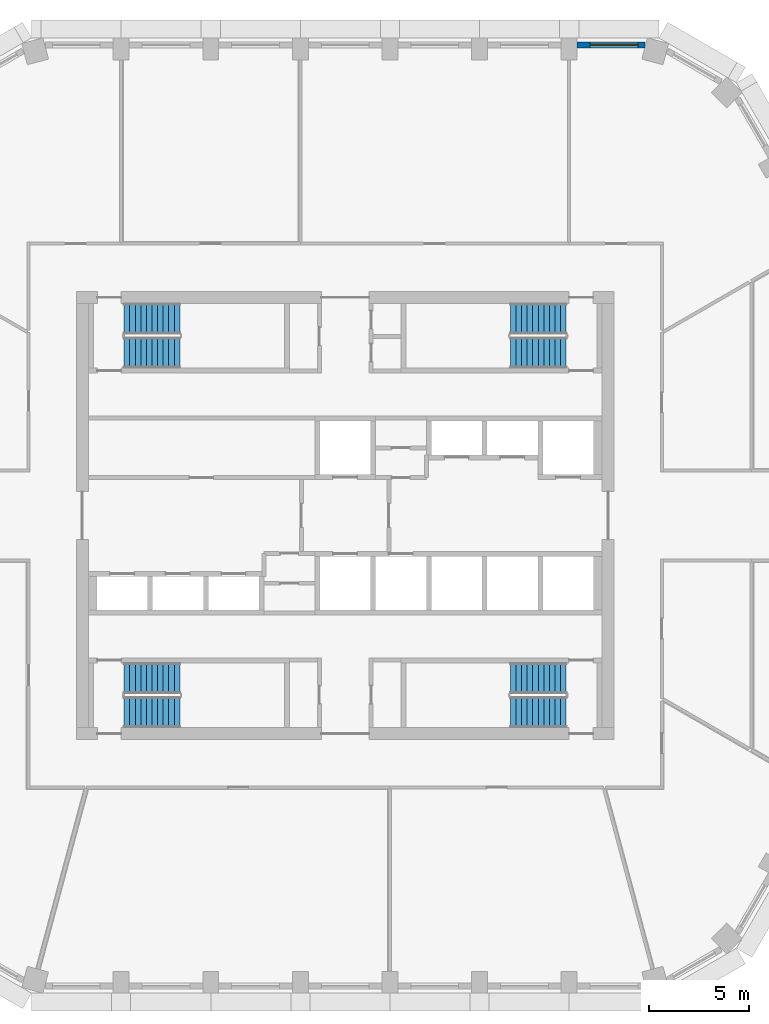
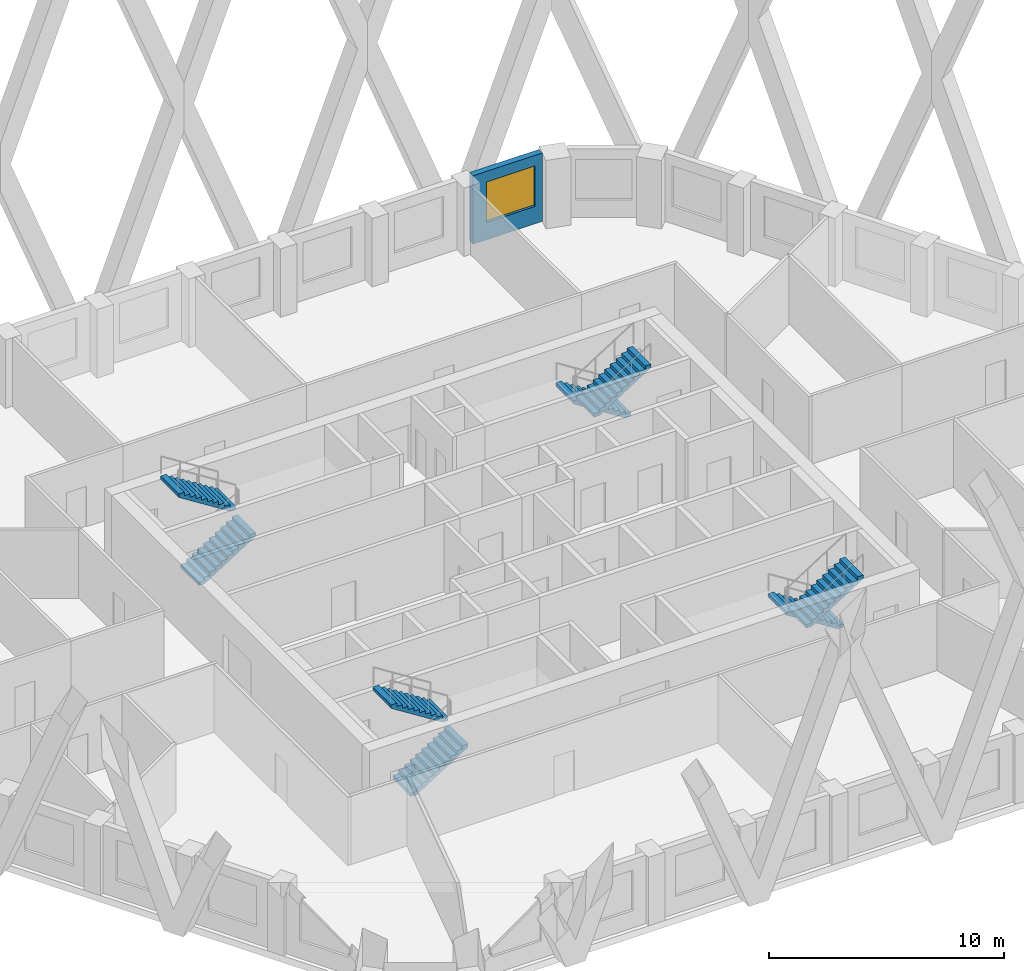
# One storey, part 7 of 15: 8 stair flights, 1 wall, 1 window, 1 opening, 4 elements without a shape of their own.
"""IFC4 building model written with IfcOpenShell, lengths in metres."""

from ifc_helpers import new_model, si_unit, direction, frame, frame_2d, origin, place, context, subcontext, project, spatial, polyline, rectangle, outline, extrude, material, layer, layer_set, type_object, element, fill, aggregate, save


model = new_model("IFC4")

# Units and contexts
model_context = context("Model", 3, precision=1e-05, world=origin(), true_north=direction((0.0, 1.0)))
body_context = subcontext(model_context, "Body", "Model", "MODEL_VIEW")
ifc_project = project(units=[si_unit("LENGTHUNIT", "METRE"), si_unit("AREAUNIT", "SQUARE_METRE"), si_unit("VOLUMEUNIT", "CUBIC_METRE"), si_unit("PLANEANGLEUNIT", "RADIAN"), si_unit("MASSUNIT", "GRAM", prefix="KILO")], contexts=[model_context])

# Site, building, storey
site_placement = place(None, origin())
site = spatial("IfcSite", under=ifc_project, at=site_placement, CompositionType="ELEMENT")
building_placement = place(site_placement, origin())
building = spatial("IfcBuilding", under=site, at=building_placement, Name="Dhurran Vertical Campus", CompositionType="ELEMENT")
storey_placement = place(building_placement, frame((0.0, 0.0, 207.300048828125)))
storey = spatial("IfcBuildingStorey", under=building, at=storey_placement, Name="L51", CompositionType="ELEMENT", Elevation=207.300048828125)

# Wall, opening, window
ifc_material_1 = material(Name="Precast concrete C50/60", Category="concrete")
ifc_layer = layer(ifc_material_1, 0.300048828125)
ifc_layer_set = layer_set([ifc_layer], Name="Precast concrete C50/60")
wall_type = type_object("IfcWallType", Name="Precast spandrel wall 300", PredefinedType="SOLIDWALL", material=ifc_layer_set)
wall_placement = place(storey_placement, frame((15.04638671875, 23.635498046875, 0.0), z_axis=(0.0, 0.0, 1.0), x_axis=(-1.0, 0.0, 0.0)))
wall = element("IfcWall", 1, at=wall_placement, inside=storey, type_object=wall_type, Name="EW1 L51.20", PredefinedType="SOLIDWALL", context=body_context, shape_type="SweptSolid", body=[
    extrude(rectangle(XDim=3.39599609375, YDim=0.300048828125, at=frame_2d((1.697998046875, 0.0))), origin(), (0.0, 0.0, 1.0), 3.550048828125),
])
opening_placement = place(wall_placement, frame((0.34619140625, 0.0, 0.89990234375)))
opening = element("IfcOpeningElement", 2, at=opening_placement, cuts=wall, Name="Opening WT1", PredefinedType="OPENING", context=body_context, shape_type="SweptSolid", body=[
    extrude(rectangle(XDim=2.39990234375, YDim=2.10009765625, at=frame_2d((1.199951171875, 1.050048828125))), frame((0.0, 0.159912109375, 0.0), z_axis=(0.0, -1.0, 0.0), x_axis=(1.0, 0.0, 0.0)), (0.0, 0.0, 1.0), 0.320068359375),
])
ifc_material_2 = material(Name="Aluminium frame with solar-control glass", Category="aluminium")
window_type = type_object("IfcWindowType", Name="Punched window 2400 x 2100", PartitioningType="SINGLE_PANEL", PredefinedType="WINDOW", material=ifc_material_2)
window_placement = place(opening_placement, origin())
window = element("IfcWindow", 3, at=window_placement, inside=storey, type_object=window_type, Name="WT1 L51.20", OverallHeight=2.10009765625, OverallWidth=2.39990234375, PartitioningType="SINGLE_PANEL", PredefinedType="WINDOW", context=body_context, shape_type="SweptSolid", body=[
    extrude(rectangle(XDim=2.39990234375, YDim=2.10009765625, at=frame_2d((1.199951171875, 1.050048828125))), frame((0.0, 0.030029296875, 0.0), z_axis=(0.0, -1.0, 0.0), x_axis=(1.0, 0.0, 0.0)), (0.0, 0.0, 1.0), 0.06005859375),
])
fill(opening, window)

# Stair, stair flights
ifc_material_3 = material(Name="Concrete C40/50", Category="concrete")
stair_type = type_object("IfcStairType", Name="co-ST-CORE", PredefinedType="HALF_TURN_STAIR", material=ifc_material_3)
stair_1_placement = place(storey_placement, origin())
stair_1 = element("IfcStair", 4, at=stair_1_placement, inside=storey, type_object=stair_type, Name="L51 Protected exit stair ST1", PredefinedType="HALF_TURN_STAIR")
ifc_material_4 = material(Name="Concrete C40/50", Category="concrete")
stair_flight_type = type_object("IfcStairFlightType", Name="co-SFL-RC", PredefinedType="STRAIGHT", material=ifc_material_4)
stair_flight_1_placement = place(storey_placement, frame((-11.10009765625, 8.175048828125, 0.0), z_axis=(0.0, 0.0, 1.0), x_axis=(1.0, 0.0, 0.0)))
stair_flight_1 = element("IfcStairFlight", 5, at=stair_flight_1_placement, type_object=stair_flight_type, Name="ST1 flight 1", NumberOfRisers=11, NumberOfTreads=10, PredefinedType="STRAIGHT", RiserHeight=0.177272727, TreadLength=0.28, context=body_context, shape_type="SweptSolid", body=[
    extrude(outline(polyline([(0.0, 0.0), (0.0, 0.17724609375), (0.280029296875, 0.17724609375), (0.280029296875, 0.3544921875), (0.56005859375, 0.3544921875), (0.56005859375, 0.53173828125), (0.840087890625, 0.53173828125), (0.840087890625, 0.708984375), (1.1201171875, 0.708984375), (1.1201171875, 0.886474609375), (1.39990234375, 0.886474609375), (1.39990234375, 1.063720703125), (1.679931640625, 1.063720703125), (1.679931640625, 1.240966796875), (1.9599609375, 1.240966796875), (1.9599609375, 1.418212890625), (2.239990234375, 1.418212890625), (2.239990234375, 1.595458984375), (2.52001953125, 1.595458984375), (2.52001953125, 1.772705078125), (2.800048828125, 1.772705078125), (2.800048828125, 1.949951171875), (2.800048828125, 1.59521484375), (0.2802734375, 0.0), (0.0, 0.0)])), frame((0.0, 0.77490234375, 0.0), z_axis=(0.0, -1.0, 0.0), x_axis=(1.0, 0.0, 0.0)), (0.0, 0.0, 1.0), 1.550048828125),
])
stair_flight_2_placement = place(storey_placement, frame((-8.300048828125, 9.875, 1.949951171875), z_axis=(0.0, 0.0, 1.0), x_axis=(-1.0, 0.0, 0.0)))
stair_flight_2 = element("IfcStairFlight", 6, at=stair_flight_2_placement, type_object=stair_flight_type, Name="ST1 flight 2", NumberOfRisers=11, NumberOfTreads=10, PredefinedType="STRAIGHT", RiserHeight=0.177272727, TreadLength=0.28, context=body_context, shape_type="SweptSolid", body=[
    extrude(outline(polyline([(0.0, 0.0), (0.0, 0.17724609375), (0.280029296875, 0.17724609375), (0.280029296875, 0.3544921875), (0.56005859375, 0.3544921875), (0.56005859375, 0.53173828125), (0.840087890625, 0.53173828125), (0.840087890625, 0.708984375), (1.1201171875, 0.708984375), (1.1201171875, 0.886474609375), (1.39990234375, 0.886474609375), (1.39990234375, 1.063720703125), (1.679931640625, 1.063720703125), (1.679931640625, 1.240966796875), (1.9599609375, 1.240966796875), (1.9599609375, 1.418212890625), (2.239990234375, 1.418212890625), (2.239990234375, 1.595458984375), (2.52001953125, 1.595458984375), (2.52001953125, 1.772705078125), (2.800048828125, 1.772705078125), (2.800048828125, 1.949951171875), (2.800048828125, 1.59521484375), (0.2802734375, 0.0), (0.0, 0.0)])), frame((0.0, 0.77490234375, 0.0), z_axis=(0.0, -1.0, 0.0), x_axis=(1.0, 0.0, 0.0)), (0.0, 0.0, 1.0), 1.550048828125),
])
aggregate(stair_1, [stair_flight_1, stair_flight_2])

stair_2_placement = place(storey_placement, origin())
stair_2 = element("IfcStair", 7, at=stair_2_placement, inside=storey, type_object=stair_type, Name="L51 Protected exit stair ST2", PredefinedType="HALF_TURN_STAIR")
stair_flight_3_placement = place(storey_placement, frame((11.10009765625, 9.875, 0.0), z_axis=(0.0, 0.0, 1.0), x_axis=(-1.0, 0.0, 0.0)))
stair_flight_3 = element("IfcStairFlight", 8, at=stair_flight_3_placement, type_object=stair_flight_type, Name="ST2 flight 1", NumberOfRisers=11, NumberOfTreads=10, PredefinedType="STRAIGHT", RiserHeight=0.177272727, TreadLength=0.28, context=body_context, shape_type="SweptSolid", body=[
    extrude(outline(polyline([(0.0, 0.0), (0.0, 0.17724609375), (0.280029296875, 0.17724609375), (0.280029296875, 0.3544921875), (0.56005859375, 0.3544921875), (0.56005859375, 0.53173828125), (0.840087890625, 0.53173828125), (0.840087890625, 0.708984375), (1.1201171875, 0.708984375), (1.1201171875, 0.886474609375), (1.39990234375, 0.886474609375), (1.39990234375, 1.063720703125), (1.679931640625, 1.063720703125), (1.679931640625, 1.240966796875), (1.9599609375, 1.240966796875), (1.9599609375, 1.418212890625), (2.239990234375, 1.418212890625), (2.239990234375, 1.595458984375), (2.52001953125, 1.595458984375), (2.52001953125, 1.772705078125), (2.800048828125, 1.772705078125), (2.800048828125, 1.949951171875), (2.800048828125, 1.59521484375), (0.2802734375, 0.0), (0.0, 0.0)])), frame((0.0, 0.77490234375, 0.0), z_axis=(0.0, -1.0, 0.0), x_axis=(1.0, 0.0, 0.0)), (0.0, 0.0, 1.0), 1.550048828125),
])
stair_flight_4_placement = place(storey_placement, frame((8.300048828125, 8.175048828125, 1.949951171875), z_axis=(0.0, 0.0, 1.0), x_axis=(1.0, 0.0, 0.0)))
stair_flight_4 = element("IfcStairFlight", 9, at=stair_flight_4_placement, type_object=stair_flight_type, Name="ST2 flight 2", NumberOfRisers=11, NumberOfTreads=10, PredefinedType="STRAIGHT", RiserHeight=0.177272727, TreadLength=0.28, context=body_context, shape_type="SweptSolid", body=[
    extrude(outline(polyline([(0.0, 0.0), (0.0, 0.17724609375), (0.280029296875, 0.17724609375), (0.280029296875, 0.3544921875), (0.56005859375, 0.3544921875), (0.56005859375, 0.53173828125), (0.840087890625, 0.53173828125), (0.840087890625, 0.708984375), (1.1201171875, 0.708984375), (1.1201171875, 0.886474609375), (1.39990234375, 0.886474609375), (1.39990234375, 1.063720703125), (1.679931640625, 1.063720703125), (1.679931640625, 1.240966796875), (1.9599609375, 1.240966796875), (1.9599609375, 1.418212890625), (2.239990234375, 1.418212890625), (2.239990234375, 1.595458984375), (2.52001953125, 1.595458984375), (2.52001953125, 1.772705078125), (2.800048828125, 1.772705078125), (2.800048828125, 1.949951171875), (2.800048828125, 1.59521484375), (0.2802734375, 0.0), (0.0, 0.0)])), frame((0.0, 0.77490234375, 0.0), z_axis=(0.0, -1.0, 0.0), x_axis=(1.0, 0.0, 0.0)), (0.0, 0.0, 1.0), 1.550048828125),
])
aggregate(stair_2, [stair_flight_3, stair_flight_4])

stair_3_placement = place(storey_placement, origin())
stair_3 = element("IfcStair", 10, at=stair_3_placement, inside=storey, type_object=stair_type, Name="L51 Protected exit stair ST3", PredefinedType="HALF_TURN_STAIR")
stair_flight_5_placement = place(storey_placement, frame((-11.10009765625, -9.875, 0.0), z_axis=(0.0, 0.0, 1.0), x_axis=(1.0, 0.0, 0.0)))
stair_flight_5 = element("IfcStairFlight", 11, at=stair_flight_5_placement, type_object=stair_flight_type, Name="ST3 flight 1", NumberOfRisers=11, NumberOfTreads=10, PredefinedType="STRAIGHT", RiserHeight=0.177272727, TreadLength=0.28, context=body_context, shape_type="SweptSolid", body=[
    extrude(outline(polyline([(0.0, 0.0), (0.0, 0.17724609375), (0.280029296875, 0.17724609375), (0.280029296875, 0.3544921875), (0.56005859375, 0.3544921875), (0.56005859375, 0.53173828125), (0.840087890625, 0.53173828125), (0.840087890625, 0.708984375), (1.1201171875, 0.708984375), (1.1201171875, 0.886474609375), (1.39990234375, 0.886474609375), (1.39990234375, 1.063720703125), (1.679931640625, 1.063720703125), (1.679931640625, 1.240966796875), (1.9599609375, 1.240966796875), (1.9599609375, 1.418212890625), (2.239990234375, 1.418212890625), (2.239990234375, 1.595458984375), (2.52001953125, 1.595458984375), (2.52001953125, 1.772705078125), (2.800048828125, 1.772705078125), (2.800048828125, 1.949951171875), (2.800048828125, 1.59521484375), (0.2802734375, 0.0), (0.0, 0.0)])), frame((0.0, 0.77490234375, 0.0), z_axis=(0.0, -1.0, 0.0), x_axis=(1.0, 0.0, 0.0)), (0.0, 0.0, 1.0), 1.550048828125),
])
stair_flight_6_placement = place(storey_placement, frame((-8.300048828125, -8.175048828125, 1.949951171875), z_axis=(0.0, 0.0, 1.0), x_axis=(-1.0, 0.0, 0.0)))
stair_flight_6 = element("IfcStairFlight", 12, at=stair_flight_6_placement, type_object=stair_flight_type, Name="ST3 flight 2", NumberOfRisers=11, NumberOfTreads=10, PredefinedType="STRAIGHT", RiserHeight=0.177272727, TreadLength=0.28, context=body_context, shape_type="SweptSolid", body=[
    extrude(outline(polyline([(0.0, 0.0), (0.0, 0.17724609375), (0.280029296875, 0.17724609375), (0.280029296875, 0.3544921875), (0.56005859375, 0.3544921875), (0.56005859375, 0.53173828125), (0.840087890625, 0.53173828125), (0.840087890625, 0.708984375), (1.1201171875, 0.708984375), (1.1201171875, 0.886474609375), (1.39990234375, 0.886474609375), (1.39990234375, 1.063720703125), (1.679931640625, 1.063720703125), (1.679931640625, 1.240966796875), (1.9599609375, 1.240966796875), (1.9599609375, 1.418212890625), (2.239990234375, 1.418212890625), (2.239990234375, 1.595458984375), (2.52001953125, 1.595458984375), (2.52001953125, 1.772705078125), (2.800048828125, 1.772705078125), (2.800048828125, 1.949951171875), (2.800048828125, 1.59521484375), (0.2802734375, 0.0), (0.0, 0.0)])), frame((0.0, 0.77490234375, 0.0), z_axis=(0.0, -1.0, 0.0), x_axis=(1.0, 0.0, 0.0)), (0.0, 0.0, 1.0), 1.550048828125),
])
aggregate(stair_3, [stair_flight_5, stair_flight_6])

stair_4_placement = place(storey_placement, origin())
stair_4 = element("IfcStair", 13, at=stair_4_placement, inside=storey, type_object=stair_type, Name="L51 Protected exit stair ST4", PredefinedType="HALF_TURN_STAIR")
stair_flight_7_placement = place(storey_placement, frame((11.10009765625, -8.175048828125, 0.0), z_axis=(0.0, 0.0, 1.0), x_axis=(-1.0, 0.0, 0.0)))
stair_flight_7 = element("IfcStairFlight", 14, at=stair_flight_7_placement, type_object=stair_flight_type, Name="ST4 flight 1", NumberOfRisers=11, NumberOfTreads=10, PredefinedType="STRAIGHT", RiserHeight=0.177272727, TreadLength=0.28, context=body_context, shape_type="SweptSolid", body=[
    extrude(outline(polyline([(0.0, 0.0), (0.0, 0.17724609375), (0.280029296875, 0.17724609375), (0.280029296875, 0.3544921875), (0.56005859375, 0.3544921875), (0.56005859375, 0.53173828125), (0.840087890625, 0.53173828125), (0.840087890625, 0.708984375), (1.1201171875, 0.708984375), (1.1201171875, 0.886474609375), (1.39990234375, 0.886474609375), (1.39990234375, 1.063720703125), (1.679931640625, 1.063720703125), (1.679931640625, 1.240966796875), (1.9599609375, 1.240966796875), (1.9599609375, 1.418212890625), (2.239990234375, 1.418212890625), (2.239990234375, 1.595458984375), (2.52001953125, 1.595458984375), (2.52001953125, 1.772705078125), (2.800048828125, 1.772705078125), (2.800048828125, 1.949951171875), (2.800048828125, 1.59521484375), (0.2802734375, 0.0), (0.0, 0.0)])), frame((0.0, 0.77490234375, 0.0), z_axis=(0.0, -1.0, 0.0), x_axis=(1.0, 0.0, 0.0)), (0.0, 0.0, 1.0), 1.550048828125),
])
stair_flight_8_placement = place(storey_placement, frame((8.300048828125, -9.875, 1.949951171875), z_axis=(0.0, 0.0, 1.0), x_axis=(1.0, 0.0, 0.0)))
stair_flight_8 = element("IfcStairFlight", 15, at=stair_flight_8_placement, type_object=stair_flight_type, Name="ST4 flight 2", NumberOfRisers=11, NumberOfTreads=10, PredefinedType="STRAIGHT", RiserHeight=0.177272727, TreadLength=0.28, context=body_context, shape_type="SweptSolid", body=[
    extrude(outline(polyline([(0.0, 0.0), (0.0, 0.17724609375), (0.280029296875, 0.17724609375), (0.280029296875, 0.3544921875), (0.56005859375, 0.3544921875), (0.56005859375, 0.53173828125), (0.840087890625, 0.53173828125), (0.840087890625, 0.708984375), (1.1201171875, 0.708984375), (1.1201171875, 0.886474609375), (1.39990234375, 0.886474609375), (1.39990234375, 1.063720703125), (1.679931640625, 1.063720703125), (1.679931640625, 1.240966796875), (1.9599609375, 1.240966796875), (1.9599609375, 1.418212890625), (2.239990234375, 1.418212890625), (2.239990234375, 1.595458984375), (2.52001953125, 1.595458984375), (2.52001953125, 1.772705078125), (2.800048828125, 1.772705078125), (2.800048828125, 1.949951171875), (2.800048828125, 1.59521484375), (0.2802734375, 0.0), (0.0, 0.0)])), frame((0.0, 0.77490234375, 0.0), z_axis=(0.0, -1.0, 0.0), x_axis=(1.0, 0.0, 0.0)), (0.0, 0.0, 1.0), 1.550048828125),
])
aggregate(stair_4, [stair_flight_7, stair_flight_8])

save(model, "model.ifc")
